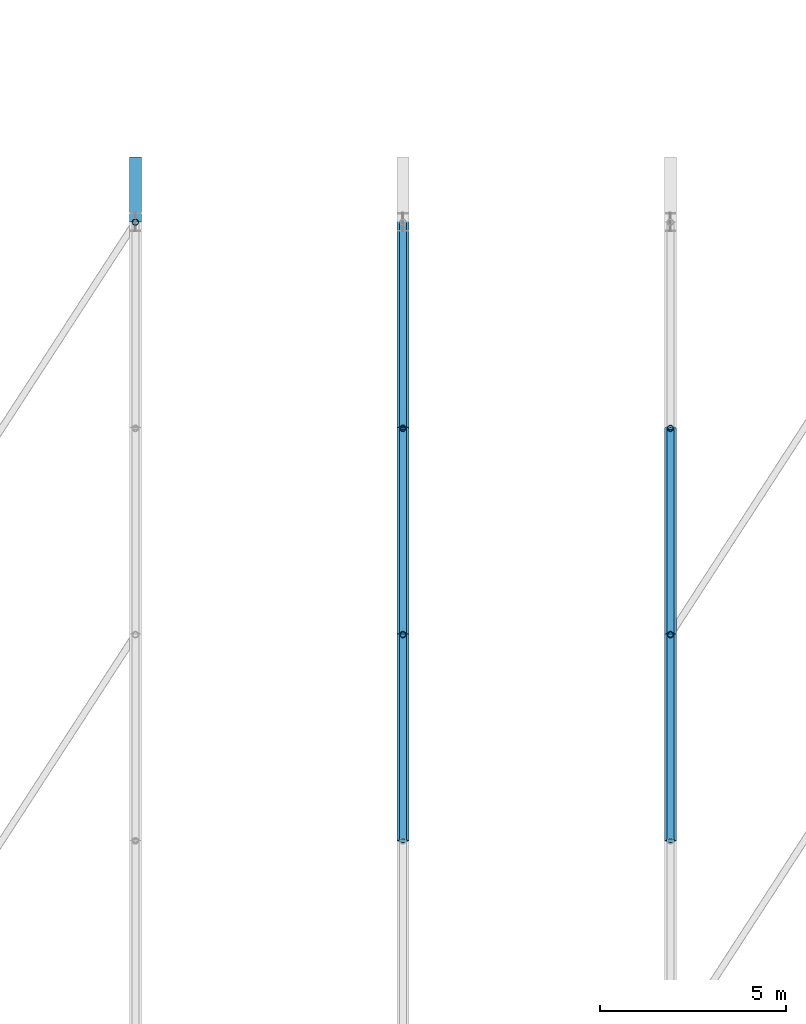
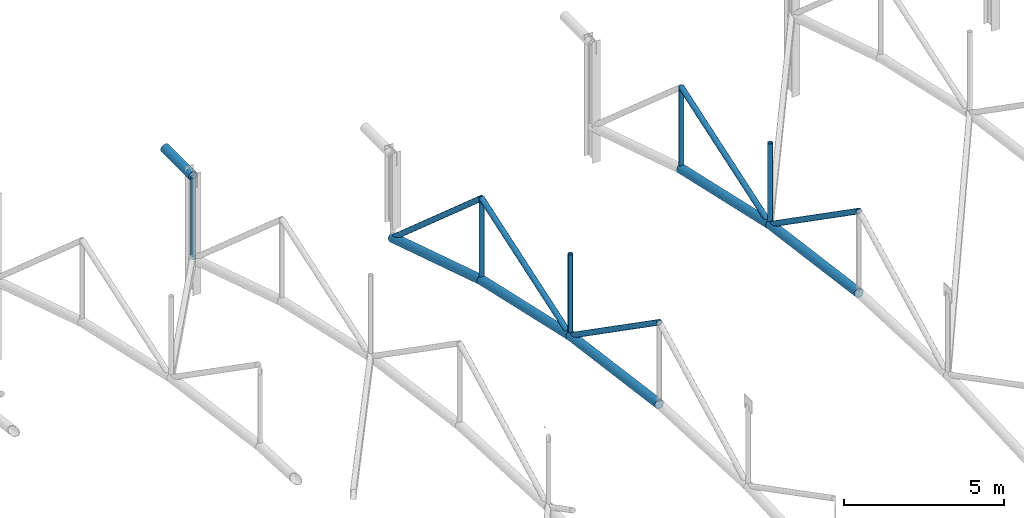
# One storey, part 57 of 153: 15 members, 1 beam.
"""IFC4 building model written with IfcOpenShell, lengths in metres."""

from ifc_helpers import new_model, si_unit, derived_unit, direction, frame, origin, origin_2d, place, context, subcontext, project, spatial, hollow_circle, extrude, material, material_profile, profile_set, type_object, element, save


model = new_model("IFC4")

# Units and contexts
model_context = context("Model", 3, precision=1e-05, world=origin(), true_north=direction((0.0, 1.0)))
body_context = subcontext(model_context, "Body", "Model", "MODEL_VIEW")
ifc_project = project(units=[si_unit("LENGTHUNIT", "METRE"), si_unit("AREAUNIT", "SQUARE_METRE"), si_unit("VOLUMEUNIT", "CUBIC_METRE"), si_unit("PLANEANGLEUNIT", "RADIAN"), si_unit("MASSUNIT", "GRAM", prefix="KILO"), derived_unit("THERMALTRANSMITTANCEUNIT", [(si_unit("POWERUNIT", "WATT"), 1), (si_unit("LENGTHUNIT", "METRE"), -2), (si_unit("THERMODYNAMICTEMPERATUREUNIT", "KELVIN"), -1)])], contexts=[model_context])

# Site, building, storey
site_placement = place(None, origin())
site = spatial("IfcSite", under=ifc_project, at=site_placement, CompositionType="ELEMENT")
building_placement = place(site_placement, origin())
building = spatial("IfcBuilding", under=site, at=building_placement, Name="Keldorne Ridge Multi-Sports Centre", CompositionType="ELEMENT")
storey_placement = place(building_placement, frame((0.0, 0.0, 9.60009765625)))
storey = spatial("IfcBuildingStorey", under=building, at=storey_placement, Name="L02", CompositionType="ELEMENT", Elevation=9.60009765625)

# Beam
ifc_material = material(Name="Steel S355", Category="steel")
ifc_material_profile_1 = material_profile(ifc_material, hollow_circle(Radius=0.161865234375, WallThickness=0.01611328125, at=origin_2d()), Name="CHS 323.9x16")
ifc_profile_set_1 = profile_set([ifc_material_profile_1], Name="Steel S355")
beam_type = type_object("IfcBeamType", Name="BM-B-19", PredefinedType="BEAM", material=ifc_profile_set_1)
beam_placement = place(storey_placement, frame((34.800048828125, 54.0, 4.369873046875), z_axis=(0.0, 1.0, 0.0), x_axis=(-1.0, 0.0, 0.0)))
element("IfcBeam", 1, at=beam_placement, inside=storey, type_object=beam_type, Name="North eave bracket rafter 05", PredefinedType="BEAM", context=body_context, shape_type="SweptSolid", body=[
    extrude(hollow_circle(Radius=0.161865234375, WallThickness=0.01611328125, at=origin_2d()), origin(), (0.0, 0.0, 1.0), 1.75),
])

# Members
ifc_material_profile_2 = material_profile(ifc_material, hollow_circle(Radius=0.161865234375, WallThickness=0.01611328125, at=origin_2d()), Name="CHS 323.9x16")
ifc_profile_set_2 = profile_set([ifc_material_profile_2], Name="Steel S355")
member_type_1 = type_object("IfcMemberType", Name="MEM-TC-02", PredefinedType="CHORD", material=ifc_profile_set_2)
member_1_placement = place(storey_placement, frame((42.0, 37.35009765625, 3.25), z_axis=(0.0, 0.990991804939, -0.133922524405), x_axis=(-1.0, 0.0, 0.0)))
element("IfcMember", 2, at=member_1_placement, inside=storey, type_object=member_type_1, Name="Main Hall ROOF TRUSS AT-06 bottom chord 6", PredefinedType="CHORD", context=body_context, shape_type="SweptSolid", body=[
    extrude(hollow_circle(Radius=0.161865234375, WallThickness=0.01611328125, at=origin_2d()), origin(), (0.0, 0.0, 1.0), 5.600341796875),
])
member_2_placement = place(storey_placement, frame((42.0, 42.89990234375, 2.5), z_axis=(0.0, 0.975563092904, -0.219719484259), x_axis=(-1.0, 0.0, 0.0)))
element("IfcMember", 3, at=member_2_placement, inside=storey, type_object=member_type_1, Name="Main Hall ROOF TRUSS AT-06 bottom chord 7", PredefinedType="CHORD", context=body_context, shape_type="SweptSolid", body=[
    extrude(hollow_circle(Radius=0.161865234375, WallThickness=0.01611328125, at=origin_2d()), origin(), (0.0, 0.0, 1.0), 5.68896484375),
])
member_3_placement = place(storey_placement, frame((42.0, 48.449951171875, 1.25), z_axis=(0.0, 0.953713189214, -0.300717729305), x_axis=(-1.0, 0.0, 0.0)))
element("IfcMember", 4, at=member_3_placement, inside=storey, type_object=member_type_1, Name="Main Hall ROOF TRUSS AT-06 bottom chord 8", PredefinedType="CHORD", context=body_context, shape_type="SweptSolid", body=[
    extrude(hollow_circle(Radius=0.161865234375, WallThickness=0.01611328125, at=origin_2d()), origin(), (0.0, 0.0, 1.0), 5.8193359375),
])
member_4_placement = place(storey_placement, frame((49.199951171875, 37.35009765625, 4.969970703125), z_axis=(0.0, 0.990991804939, -0.133922524405), x_axis=(-1.0, 0.0, 0.0)))
element("IfcMember", 5, at=member_4_placement, inside=storey, type_object=member_type_1, Name="Main Hall ROOF TRUSS AT-07 bottom chord 6", PredefinedType="CHORD", context=body_context, shape_type="SweptSolid", body=[
    extrude(hollow_circle(Radius=0.161865234375, WallThickness=0.01611328125, at=origin_2d()), origin(), (0.0, 0.0, 1.0), 5.600341796875),
])
member_5_placement = place(storey_placement, frame((49.199951171875, 42.89990234375, 4.219970703125), z_axis=(0.0, 0.975563092904, -0.219719484259), x_axis=(-1.0, 0.0, 0.0)))
element("IfcMember", 6, at=member_5_placement, inside=storey, type_object=member_type_1, Name="Main Hall ROOF TRUSS AT-07 bottom chord 7", PredefinedType="CHORD", context=body_context, shape_type="SweptSolid", body=[
    extrude(hollow_circle(Radius=0.161865234375, WallThickness=0.01611328125, at=origin_2d()), origin(), (0.0, 0.0, 1.0), 5.68896484375),
])
ifc_material_profile_3 = material_profile(ifc_material, hollow_circle(Radius=0.096923828125, WallThickness=0.010009765625, at=origin_2d()), Name="CHS 193.7x10")
ifc_profile_set_3 = profile_set([ifc_material_profile_3], Name="Steel S355")
member_type_2 = type_object("IfcMemberType", Name="MEM-TD-01", PredefinedType="BRACE", material=ifc_profile_set_3)
member_6_placement = place(storey_placement, frame((42.0, 37.35009765625, 6.369873046875), z_axis=(0.0, 0.820271449663, -0.571974430257), x_axis=(-1.0, 0.0, 0.0)))
element("IfcMember", 7, at=member_6_placement, inside=storey, type_object=member_type_2, Name="Main Hall ROOF TRUSS AT-06 diagonal 6", PredefinedType="BRACE", context=body_context, shape_type="SweptSolid", body=[
    extrude(hollow_circle(Radius=0.096923828125, WallThickness=0.010009765625, at=origin_2d()), origin(), (0.0, 0.0, 1.0), 6.765869140625),
])
member_7_placement = place(storey_placement, frame((42.0, 42.89990234375, 2.5), z_axis=(0.0, 0.947661237718, 0.319277588514), x_axis=(-1.0, 0.0, 0.0)))
element("IfcMember", 8, at=member_7_placement, inside=storey, type_object=member_type_2, Name="Main Hall ROOF TRUSS AT-06 diagonal 7", PredefinedType="BRACE", context=body_context, shape_type="SweptSolid", body=[
    extrude(hollow_circle(Radius=0.096923828125, WallThickness=0.010009765625, at=origin_2d()), origin(), (0.0, 0.0, 1.0), 5.856689453125),
])
member_8_placement = place(storey_placement, frame((42.0, 48.449951171875, 4.369873046875), z_axis=(0.0, 0.751664494299, -0.659545667874), x_axis=(-1.0, 0.0, 0.0)))
element("IfcMember", 9, at=member_8_placement, inside=storey, type_object=member_type_2, Name="Main Hall ROOF TRUSS AT-06 diagonal 8", PredefinedType="BRACE", context=body_context, shape_type="SweptSolid", body=[
    extrude(hollow_circle(Radius=0.096923828125, WallThickness=0.010009765625, at=origin_2d()), origin(), (0.0, 0.0, 1.0), 7.3837890625),
])
member_9_placement = place(storey_placement, frame((49.199951171875, 37.35009765625, 8.08984375), z_axis=(0.0, 0.820271449663, -0.571974430257), x_axis=(-1.0, 0.0, 0.0)))
element("IfcMember", 10, at=member_9_placement, inside=storey, type_object=member_type_2, Name="Main Hall ROOF TRUSS AT-07 diagonal 6", PredefinedType="BRACE", context=body_context, shape_type="SweptSolid", body=[
    extrude(hollow_circle(Radius=0.096923828125, WallThickness=0.010009765625, at=origin_2d()), origin(), (0.0, 0.0, 1.0), 6.765869140625),
])
member_10_placement = place(storey_placement, frame((49.199951171875, 42.89990234375, 4.219970703125), z_axis=(0.0, 0.947661237718, 0.319277588514), x_axis=(-1.0, 0.0, 0.0)))
element("IfcMember", 11, at=member_10_placement, inside=storey, type_object=member_type_2, Name="Main Hall ROOF TRUSS AT-07 diagonal 7", PredefinedType="BRACE", context=body_context, shape_type="SweptSolid", body=[
    extrude(hollow_circle(Radius=0.096923828125, WallThickness=0.010009765625, at=origin_2d()), origin(), (0.0, 0.0, 1.0), 5.856689453125),
])
ifc_material_profile_4 = material_profile(ifc_material, hollow_circle(Radius=0.084228515625, WallThickness=0.010009765625, at=origin_2d()), Name="CHS 168.3x10")
ifc_profile_set_4 = profile_set([ifc_material_profile_4], Name="Steel S355")
member_type_3 = type_object("IfcMemberType", Name="MEM-TV-01", PredefinedType="STRUT", material=ifc_profile_set_4)
for number, where, z_axis, x_axis, name in (
    (12, (34.800048828125, 54.0, 1.219970703125), (0.0, 0.0, 1.0), (1.0, 0.0, 0.0), "Main Hall ROOF TRUSS AT-05 vertical 9"),
    (13, (42.0, 42.89990234375, 2.5), (0.0, 0.0, 1.0), (1.0, 0.0, 0.0), "Main Hall ROOF TRUSS AT-06 vertical 7"),
    (14, (42.0, 48.449951171875, 1.25), (0.0, 0.0, 1.0), (1.0, 0.0, 0.0), "Main Hall ROOF TRUSS AT-06 vertical 8"),
    (15, (49.199951171875, 42.89990234375, 4.219970703125), (0.0, 0.0, 1.0), (1.0, 0.0, 0.0), "Main Hall ROOF TRUSS AT-07 vertical 7"),
    (16, (49.199951171875, 48.449951171875, 2.969970703125), (0.0, 0.0, 1.0), (1.0, 0.0, 0.0), "Main Hall ROOF TRUSS AT-07 vertical 8"),
):
    element("IfcMember", number, at=place(storey_placement, frame(where, z_axis=z_axis, x_axis=x_axis)), inside=storey, type_object=member_type_3, Name=name, PredefinedType="STRUT", context=body_context, shape_type="SweptSolid", body=[
        extrude(hollow_circle(Radius=0.084228515625, WallThickness=0.010009765625, at=origin_2d()), origin(), (0.0, 0.0, 1.0), 3.119873046875),
    ])

save(model, "model.ifc")
